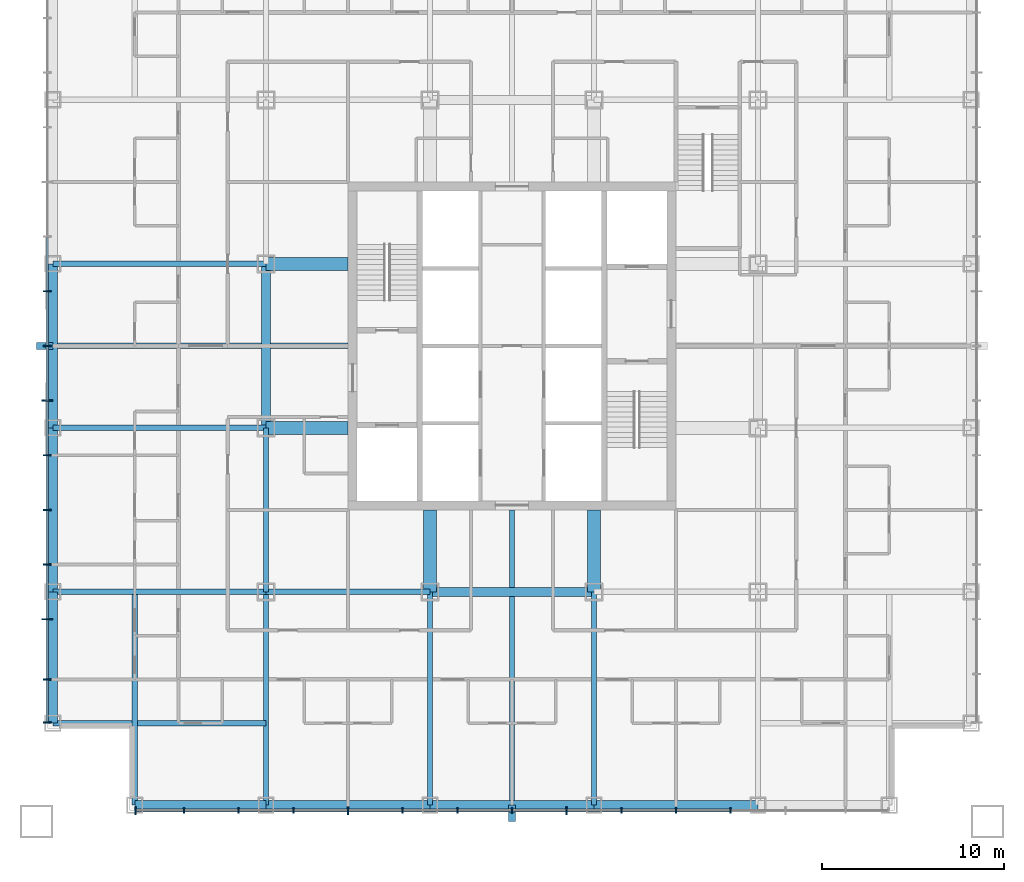
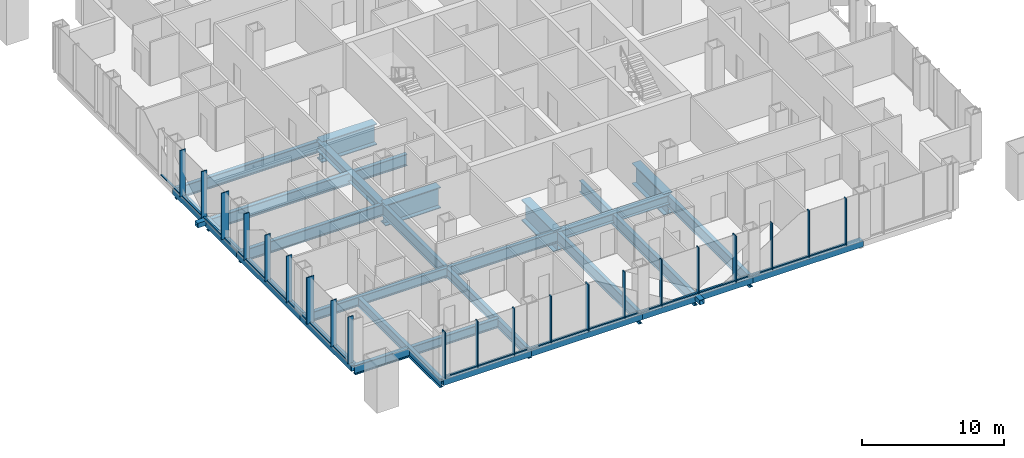
# One storey, part 2 of 13: 43 members, 25 beams, 2 elements without a shape of their own.
"""IFC4 building model written with IfcOpenShell, lengths in metres."""

import ifcopenshell
import ifcopenshell.guid

model = None  # the IFC model being written
_history = None  # IfcOwnerHistory: only IFC2X3 demands one
_inside = {}  # id of a spatial element -> (the spatial element, [elements in it])
_under = {}  # id of a project, library or spatial element -> (it, [spatial elements below it])
_declared = {}  # id of a project -> (the project, [libraries it declares])
_typed = {}  # id of a type object -> (the type object, [elements of that type])
_made_of = {}  # id of a material, layer set ... -> (it, [elements and type objects made of it])


def new_model(schema):
    """Start an empty IFC model of exactly this schema.

    Asked for "IFC4X3", IfcOpenShell would pick the latest addendum, in which some entities
    have other attributes; the version numbers below select the first issue.
    IFC2X3 requires an IfcOwnerHistory on every rooted entity: one is made here for all.
    """
    global model, _history
    if schema == "IFC4X3":
        model = ifcopenshell.file(schema_version=(4, 3, 0, 0))
    else:
        model = ifcopenshell.file(schema=schema)
    _inside.clear()
    _under.clear()
    _declared.clear()
    _typed.clear()
    _made_of.clear()
    _history = None
    if model.schema == "IFC2X3":
        org = make("IfcOrganization", Name="unknown")
        user = make(
            "IfcPersonAndOrganization",
            ThePerson=make("IfcPerson", FamilyName="unknown"),
            TheOrganization=org,
        )
        app = make(
            "IfcApplication",
            ApplicationDeveloper=org,
            Version="unknown",
            ApplicationFullName="unknown",
            ApplicationIdentifier="unknown",
        )
        _history = make(
            "IfcOwnerHistory",
            OwningUser=user,
            OwningApplication=app,
            ChangeAction="ADDED",
            CreationDate=0,
        )
    return model


def make(cls, **values):
    """One entity of the class cls with the attributes given. An attribute that is None is left unset."""
    return model.create_entity(
        cls, **{name: value for name, value in values.items() if value is not None}
    )


def rooted(cls, **values):
    """An entity with a GlobalId (a new one), such as an element, a storey or a relation."""
    return make(cls, GlobalId=ifcopenshell.guid.new(), OwnerHistory=_history, **values)


def si_unit(unit_type, name, prefix=None):
    """IfcSIUnit, for example si_unit("LENGTHUNIT", "METRE", prefix="MILLI")."""
    return make("IfcSIUnit", UnitType=unit_type, Prefix=prefix, Name=name)


def assignment(units):
    """IfcUnitAssignment: the units of a project."""
    return None if units is None else make("IfcUnitAssignment", Units=units)


def point(xyz):
    """IfcCartesianPoint."""
    return None if xyz is None else make("IfcCartesianPoint", Coordinates=xyz)


def direction(xyz):
    """IfcDirection."""
    return None if xyz is None else make("IfcDirection", DirectionRatios=xyz)


def frame(location, z_axis=None, x_axis=None):
    """IfcAxis2Placement3D, a coordinate frame: its origin and axes. An axis left out is left unset."""
    return make(
        "IfcAxis2Placement3D",
        Location=point(location),
        Axis=direction(z_axis),
        RefDirection=direction(x_axis),
    )


def frame_2d(location, x_axis=None):
    """IfcAxis2Placement2D, a coordinate frame in the plane: its origin and x axis."""
    return make(
        "IfcAxis2Placement2D", Location=point(location), RefDirection=direction(x_axis)
    )


def origin():
    """The frame at (0, 0, 0) with its axes left unset."""
    return frame((0.0, 0.0, 0.0))


def origin_2d():
    """The frame at (0, 0) in the plane with its x axis left unset."""
    return frame_2d((0.0, 0.0))


def place(relative_to, where):
    """IfcLocalPlacement: puts the frame where relative to a parent placement (None: the world)."""
    return make(
        "IfcLocalPlacement", PlacementRelTo=relative_to, RelativePlacement=where
    )


def context(
    kind, dimensions, precision=None, world=None, true_north=None, identifier=None
):
    """IfcGeometricRepresentationContext, for example the 3D "Model" context."""
    return make(
        "IfcGeometricRepresentationContext",
        ContextIdentifier=identifier,
        ContextType=kind,
        CoordinateSpaceDimension=dimensions,
        Precision=precision,
        WorldCoordinateSystem=world,
        TrueNorth=true_north,
    )


def subcontext(parent, identifier, kind, view, scale=None):
    """IfcGeometricRepresentationSubContext, for example "Body" below "Model"."""
    return make(
        "IfcGeometricRepresentationSubContext",
        ContextIdentifier=identifier,
        ContextType=kind,
        ParentContext=parent,
        TargetScale=scale,
        TargetView=view,
    )


def project(units=None, contexts=None):
    """IfcProject with its units and contexts."""
    return rooted(
        "IfcProject",
        Name="project",
        RepresentationContexts=contexts,
        UnitsInContext=assignment(units),
    )


def spatial(cls, under=None, at=None, **own):
    """A site, building, storey or space (cls), placed at a placement, below another one or the project."""
    s = rooted(cls, ObjectPlacement=at, **own)
    if under is not None:
        _under.setdefault(under.id(), (under, []))[1].append(s)
    return s


def profile(cls, at=None, kind="AREA", **sizes):
    """A parametric profile (cls). Its sizes go by their IFC names, for example OverallWidth=200.0."""
    return make(cls, ProfileType=kind, Position=at, **sizes)


def rectangle(**sizes):
    """IfcRectangleProfileDef."""
    return profile("IfcRectangleProfileDef", **sizes)


def hollow_rectangle(**sizes):
    """IfcRectangleHollowProfileDef."""
    return profile("IfcRectangleHollowProfileDef", **sizes)


def i_section(**sizes):
    """IfcIShapeProfileDef."""
    return profile("IfcIShapeProfileDef", **sizes)


def extrude(swept, where, along, depth):
    """IfcExtrudedAreaSolid: the profile swept, set in the frame where, extruded along a direction by depth."""
    return make(
        "IfcExtrudedAreaSolid",
        SweptArea=swept,
        Position=where,
        ExtrudedDirection=direction(along),
        Depth=depth,
    )


def shape(context_of_items, identifier, shape_type, items):
    """IfcShapeRepresentation: the items that make up one representation, for example the "Body"."""
    return make(
        "IfcShapeRepresentation",
        ContextOfItems=context_of_items,
        RepresentationIdentifier=identifier,
        RepresentationType=shape_type,
        Items=items,
    )


def material(Name=None, Category=None):
    """IfcMaterial."""
    return make("IfcMaterial", Name=Name, Category=Category)


def layer(
    of_material, thickness, ventilated=None, Name=None, Category=None, Priority=None
):
    """IfcMaterialLayer: one layer of a wall or slab, of a material (None: an air gap)."""
    return make(
        "IfcMaterialLayer",
        Material=of_material,
        LayerThickness=thickness,
        IsVentilated=ventilated,
        Name=Name,
        Category=Category,
        Priority=Priority,
    )


def layer_set(layers, Name=None):
    """IfcMaterialLayerSet."""
    return make("IfcMaterialLayerSet", MaterialLayers=layers, LayerSetName=Name)


def material_profile(
    of_material, cross_section, Name=None, Category=None, Priority=None
):
    """IfcMaterialProfile: a cross section and its material."""
    return make(
        "IfcMaterialProfile",
        Name=Name,
        Material=of_material,
        Profile=cross_section,
        Priority=Priority,
        Category=Category,
    )


def profile_set(profiles, Name=None, composite=None):
    """IfcMaterialProfileSet."""
    return make(
        "IfcMaterialProfileSet",
        Name=Name,
        MaterialProfiles=profiles,
        CompositeProfile=composite,
    )


def made_of(thing, what):
    """Note that an element or type object is made of a material, layer set ...; save() writes the relation."""
    if what is not None:
        _made_of.setdefault(what.id(), (what, []))[1].append(thing)
    return thing


def type_object(cls, material=None, **own):
    """A type object (cls), such as IfcWallType, which elements share."""
    return made_of(rooted(cls, **own), material)


def element(
    cls,
    number,
    at=None,
    inside=None,
    cuts=None,
    type_object=None,
    material=None,
    context=None,
    identifier="Body",
    shape_type=None,
    held_by="IfcProductDefinitionShape",
    body=None,
    shapes=None,
    **own,
):
    """One element of the class cls, such as IfcWall. Its Tag is "e" and its number.

    at: its placement. inside: the storey or other place that contains it. cuts: it is an
    opening in that element (IfcRelVoidsElement). A single representation is given by context,
    identifier, shape_type and body (its items); several are given by shapes. held_by: the class
    of the entity that holds the representations. save() writes the other relations.
    """
    e = rooted(cls, Tag="e%d" % number, ObjectPlacement=at, **own)
    if body is not None:
        shapes = [shape(context, identifier, shape_type, body)]
    if shapes is not None:
        e.Representation = make(held_by, Representations=shapes)
    if inside is not None:
        _inside.setdefault(inside.id(), (inside, []))[1].append(e)
    if cuts is not None:
        rooted(
            "IfcRelVoidsElement", RelatingBuildingElement=cuts, RelatedOpeningElement=e
        )
    if type_object is not None:
        _typed.setdefault(type_object.id(), (type_object, []))[1].append(e)
    return made_of(e, material)


def aggregate(whole, parts):
    """IfcRelAggregates: a whole, such as a stair, and the parts it consists of."""
    return rooted("IfcRelAggregates", RelatingObject=whole, RelatedObjects=parts)


def save(model, path):
    """Write the relations noted so far, then the file.

    IfcRelAggregates (storeys below a building ...), IfcRelContainedInSpatialStructure (elements
    in a storey), IfcRelDefinesByType, IfcRelAssociatesMaterial and IfcRelDeclares: one each for
    every whole, place, type object, material and project.
    """
    for whole, parts in _under.values():
        aggregate(whole, parts)
    for where, things in _inside.values():
        rooted(
            "IfcRelContainedInSpatialStructure",
            RelatedElements=things,
            RelatingStructure=where,
        )
    for kind, things in _typed.values():
        rooted("IfcRelDefinesByType", RelatedObjects=things, RelatingType=kind)
    for what, things in _made_of.values():
        rooted("IfcRelAssociatesMaterial", RelatedObjects=things, RelatingMaterial=what)
    for by, libraries in _declared.values():
        rooted("IfcRelDeclares", RelatingContext=by, RelatedDefinitions=libraries)
    model.write(path)


model = new_model("IFC4")

# Units and contexts
model_context = context("Model", 3, precision=1e-05, world=origin(), true_north=direction((0.0, 1.0)))
body_context = subcontext(model_context, "Body", "Model", "MODEL_VIEW")
ifc_project = project(units=[si_unit("LENGTHUNIT", "METRE"), si_unit("AREAUNIT", "SQUARE_METRE"), si_unit("VOLUMEUNIT", "CUBIC_METRE"), si_unit("PLANEANGLEUNIT", "RADIAN"), si_unit("MASSUNIT", "GRAM", prefix="KILO")], contexts=[model_context])

# Site, building, storey
site_placement = place(None, origin())
site = spatial("IfcSite", under=ifc_project, at=site_placement, CompositionType="ELEMENT")
building_placement = place(site_placement, origin())
building = spatial("IfcBuilding", under=site, at=building_placement, Name="Malebo Sky Hospital", CompositionType="ELEMENT")
storey_placement = place(building_placement, frame((0.0, 0.0, 47.0)))
storey = spatial("IfcBuildingStorey", under=building, at=storey_placement, Name="L10", CompositionType="ELEMENT", Elevation=47.0)

# Curtain wall, members
ifc_material_1 = material(Name="Anodised aluminium, natural silver", Category="aluminium")
ifc_layer_1 = layer(ifc_material_1, 0.25)
ifc_layer_set_1 = layer_set([ifc_layer_1], Name="WARD CURTAIN WALL EAST AND WEST")
curtain_wall_type_1 = type_object("IfcCurtainWallType", Name="WARD CURTAIN WALL EAST AND WEST", PredefinedType="NOTDEFINED", material=ifc_layer_set_1)
curtain_wall_1_placement = place(storey_placement, origin())
curtain_wall_1 = element("IfcCurtainWall", 1, at=curtain_wall_1_placement, inside=storey, type_object=curtain_wall_type_1, Name="EW curtain wall W", PredefinedType="NOTDEFINED")
ifc_material_profile_1 = material_profile(ifc_material_1, rectangle(XDim=0.14990234375, YDim=0.10009765625, at=origin_2d()), Name="ALUMINIUM TRANSOM 150x100")
ifc_profile_set_1 = profile_set([ifc_material_profile_1], Name="Anodised aluminium, natural silver")
member_type_1 = type_object("IfcMemberType", Name="ALUMINIUM TRANSOM 150x100", PredefinedType="USERDEFINED", material=ifc_profile_set_1)
member_1_placement = place(storey_placement, frame((34.5, 41.375, 0.050048828125), z_axis=(0.0, 1.0, 0.0), x_axis=(-1.0, 0.0, 0.0)))
member_1 = element("IfcMember", 2, at=member_1_placement, type_object=member_type_1, Name="Transom 1", ObjectType="TRANSOM", PredefinedType="USERDEFINED", context=body_context, shape_type="SweptSolid", body=[
    extrude(rectangle(XDim=0.14990234375, YDim=0.10009765625, at=origin_2d()), origin(), (0.0, 0.0, 1.0), 2.28759765625),
])
member_2_placement = place(storey_placement, frame((34.5, 43.737548828125, 0.050048828125), z_axis=(0.0, 1.0, 0.0), x_axis=(-1.0, 0.0, 0.0)))
member_2 = element("IfcMember", 3, at=member_2_placement, type_object=member_type_1, Name="Transom 2", ObjectType="TRANSOM", PredefinedType="USERDEFINED", context=body_context, shape_type="SweptSolid", body=[
    extrude(rectangle(XDim=0.14990234375, YDim=0.10009765625, at=origin_2d()), origin(), (0.0, 0.0, 1.0), 3.224853515625),
])
member_3_placement = place(storey_placement, frame((34.5, 47.03759765625, 0.050048828125), z_axis=(0.0, 1.0, 0.0), x_axis=(-1.0, 0.0, 0.0)))
member_3 = element("IfcMember", 4, at=member_3_placement, type_object=member_type_1, Name="Transom 3", ObjectType="TRANSOM", PredefinedType="USERDEFINED", context=body_context, shape_type="SweptSolid", body=[
    extrude(rectangle(XDim=0.14990234375, YDim=0.10009765625, at=origin_2d()), origin(), (0.0, 0.0, 1.0), 2.9248046875),
])
member_4_placement = place(storey_placement, frame((34.5, 50.03759765625, 0.050048828125), z_axis=(0.0, 1.0, 0.0), x_axis=(-1.0, 0.0, 0.0)))
member_4 = element("IfcMember", 5, at=member_4_placement, type_object=member_type_1, Name="Transom 4", ObjectType="TRANSOM", PredefinedType="USERDEFINED", context=body_context, shape_type="SweptSolid", body=[
    extrude(rectangle(XDim=0.14990234375, YDim=0.10009765625, at=origin_2d()), origin(), (0.0, 0.0, 1.0), 2.9248046875),
])
member_5_placement = place(storey_placement, frame((34.5, 53.03759765625, 0.050048828125), z_axis=(0.0, 1.0, 0.0), x_axis=(-1.0, 0.0, 0.0)))
member_5 = element("IfcMember", 6, at=member_5_placement, type_object=member_type_1, Name="Transom 5", ObjectType="TRANSOM", PredefinedType="USERDEFINED", context=body_context, shape_type="SweptSolid", body=[
    extrude(rectangle(XDim=0.14990234375, YDim=0.10009765625, at=origin_2d()), origin(), (0.0, 0.0, 1.0), 2.9248046875),
])
member_6_placement = place(storey_placement, frame((34.5, 56.03759765625, 0.050048828125), z_axis=(0.0, 1.0, 0.0), x_axis=(-1.0, 0.0, 0.0)))
member_6 = element("IfcMember", 7, at=member_6_placement, type_object=member_type_1, Name="Transom 6", ObjectType="TRANSOM", PredefinedType="USERDEFINED", context=body_context, shape_type="SweptSolid", body=[
    extrude(rectangle(XDim=0.14990234375, YDim=0.10009765625, at=origin_2d()), origin(), (0.0, 0.0, 1.0), 2.9248046875),
])
member_7_placement = place(storey_placement, frame((34.5, 59.03759765625, 0.050048828125), z_axis=(0.0, 1.0, 0.0), x_axis=(-1.0, 0.0, 0.0)))
member_7 = element("IfcMember", 8, at=member_7_placement, type_object=member_type_1, Name="Transom 7", ObjectType="TRANSOM", PredefinedType="USERDEFINED", context=body_context, shape_type="SweptSolid", body=[
    extrude(rectangle(XDim=0.14990234375, YDim=0.10009765625, at=origin_2d()), origin(), (0.0, 0.0, 1.0), 2.9248046875),
])
member_8_placement = place(storey_placement, frame((34.5, 62.03759765625, 0.050048828125), z_axis=(0.0, 1.0, 0.0), x_axis=(-1.0, 0.0, 0.0)))
member_8 = element("IfcMember", 9, at=member_8_placement, type_object=member_type_1, Name="Transom 8", ObjectType="TRANSOM", PredefinedType="USERDEFINED", context=body_context, shape_type="SweptSolid", body=[
    extrude(rectangle(XDim=0.14990234375, YDim=0.10009765625, at=origin_2d()), origin(), (0.0, 0.0, 1.0), 2.9248046875),
])
member_9_placement = place(storey_placement, frame((34.5, 65.03759765625, 0.050048828125), z_axis=(0.0, 1.0, 0.0), x_axis=(-1.0, 0.0, 0.0)))
member_9 = element("IfcMember", 10, at=member_9_placement, type_object=member_type_1, Name="Transom 9", ObjectType="TRANSOM", PredefinedType="USERDEFINED", context=body_context, shape_type="SweptSolid", body=[
    extrude(rectangle(XDim=0.14990234375, YDim=0.10009765625, at=origin_2d()), origin(), (0.0, 0.0, 1.0), 2.9248046875),
])

ifc_layer_2 = layer(ifc_material_1, 0.25)
ifc_layer_set_2 = layer_set([ifc_layer_2], Name="WARD CURTAIN WALL NORTH AND SOUTH")
curtain_wall_type_2 = type_object("IfcCurtainWallType", Name="WARD CURTAIN WALL NORTH AND SOUTH", PredefinedType="NOTDEFINED", material=ifc_layer_set_2)
curtain_wall_2_placement = place(storey_placement, origin())
curtain_wall_2 = element("IfcCurtainWall", 11, at=curtain_wall_2_placement, inside=storey, type_object=curtain_wall_type_2, Name="NS curtain wall S", PredefinedType="NOTDEFINED")
member_10_placement = place(storey_placement, frame((71.96240234375, 36.5, 0.050048828125), z_axis=(-1.0, 0.0, 0.0), x_axis=(0.0, -1.0, 0.0)))
member_10 = element("IfcMember", 12, at=member_10_placement, type_object=member_type_1, Name="Transom 4", ObjectType="TRANSOM", PredefinedType="USERDEFINED", context=body_context, shape_type="SweptSolid", body=[
    extrude(rectangle(XDim=0.14990234375, YDim=0.10009765625, at=origin_2d()), origin(), (0.0, 0.0, 1.0), 2.9248046875),
])
member_11_placement = place(storey_placement, frame((68.96240234375, 36.5, 0.050048828125), z_axis=(-1.0, 0.0, 0.0), x_axis=(0.0, -1.0, 0.0)))
member_11 = element("IfcMember", 13, at=member_11_placement, type_object=member_type_1, Name="Transom 5", ObjectType="TRANSOM", PredefinedType="USERDEFINED", context=body_context, shape_type="SweptSolid", body=[
    extrude(rectangle(XDim=0.14990234375, YDim=0.10009765625, at=origin_2d()), origin(), (0.0, 0.0, 1.0), 2.9248046875),
])
member_12_placement = place(storey_placement, frame((65.96240234375, 36.5, 0.050048828125), z_axis=(-1.0, 0.0, 0.0), x_axis=(0.0, -1.0, 0.0)))
member_12 = element("IfcMember", 14, at=member_12_placement, type_object=member_type_1, Name="Transom 6", ObjectType="TRANSOM", PredefinedType="USERDEFINED", context=body_context, shape_type="SweptSolid", body=[
    extrude(rectangle(XDim=0.14990234375, YDim=0.10009765625, at=origin_2d()), origin(), (0.0, 0.0, 1.0), 2.9248046875),
])
member_13_placement = place(storey_placement, frame((62.96240234375, 36.5, 0.050048828125), z_axis=(-1.0, 0.0, 0.0), x_axis=(0.0, -1.0, 0.0)))
member_13 = element("IfcMember", 15, at=member_13_placement, type_object=member_type_1, Name="Transom 7", ObjectType="TRANSOM", PredefinedType="USERDEFINED", context=body_context, shape_type="SweptSolid", body=[
    extrude(rectangle(XDim=0.14990234375, YDim=0.10009765625, at=origin_2d()), origin(), (0.0, 0.0, 1.0), 2.9248046875),
])
member_14_placement = place(storey_placement, frame((59.96240234375, 36.5, 0.050048828125), z_axis=(-1.0, 0.0, 0.0), x_axis=(0.0, -1.0, 0.0)))
member_14 = element("IfcMember", 16, at=member_14_placement, type_object=member_type_1, Name="Transom 8", ObjectType="TRANSOM", PredefinedType="USERDEFINED", context=body_context, shape_type="SweptSolid", body=[
    extrude(rectangle(XDim=0.14990234375, YDim=0.10009765625, at=origin_2d()), origin(), (0.0, 0.0, 1.0), 2.9248046875),
])
member_15_placement = place(storey_placement, frame((56.96240234375, 36.5, 0.050048828125), z_axis=(-1.0, 0.0, 0.0), x_axis=(0.0, -1.0, 0.0)))
member_15 = element("IfcMember", 17, at=member_15_placement, type_object=member_type_1, Name="Transom 9", ObjectType="TRANSOM", PredefinedType="USERDEFINED", context=body_context, shape_type="SweptSolid", body=[
    extrude(rectangle(XDim=0.14990234375, YDim=0.10009765625, at=origin_2d()), origin(), (0.0, 0.0, 1.0), 2.9248046875),
])
member_16_placement = place(storey_placement, frame((53.96240234375, 36.5, 0.050048828125), z_axis=(-1.0, 0.0, 0.0), x_axis=(0.0, -1.0, 0.0)))
member_16 = element("IfcMember", 18, at=member_16_placement, type_object=member_type_1, Name="Transom 10", ObjectType="TRANSOM", PredefinedType="USERDEFINED", context=body_context, shape_type="SweptSolid", body=[
    extrude(rectangle(XDim=0.14990234375, YDim=0.10009765625, at=origin_2d()), origin(), (0.0, 0.0, 1.0), 2.9248046875),
])
member_17_placement = place(storey_placement, frame((50.96240234375, 36.5, 0.050048828125), z_axis=(-1.0, 0.0, 0.0), x_axis=(0.0, -1.0, 0.0)))
member_17 = element("IfcMember", 19, at=member_17_placement, type_object=member_type_1, Name="Transom 11", ObjectType="TRANSOM", PredefinedType="USERDEFINED", context=body_context, shape_type="SweptSolid", body=[
    extrude(rectangle(XDim=0.14990234375, YDim=0.10009765625, at=origin_2d()), origin(), (0.0, 0.0, 1.0), 2.9248046875),
])
member_18_placement = place(storey_placement, frame((47.96240234375, 36.5, 0.050048828125), z_axis=(-1.0, 0.0, 0.0), x_axis=(0.0, -1.0, 0.0)))
member_18 = element("IfcMember", 20, at=member_18_placement, type_object=member_type_1, Name="Transom 12", ObjectType="TRANSOM", PredefinedType="USERDEFINED", context=body_context, shape_type="SweptSolid", body=[
    extrude(rectangle(XDim=0.14990234375, YDim=0.10009765625, at=origin_2d()), origin(), (0.0, 0.0, 1.0), 2.9248046875),
])
member_19_placement = place(storey_placement, frame((44.96240234375, 36.5, 0.050048828125), z_axis=(-1.0, 0.0, 0.0), x_axis=(0.0, -1.0, 0.0)))
member_19 = element("IfcMember", 21, at=member_19_placement, type_object=member_type_1, Name="Transom 13", ObjectType="TRANSOM", PredefinedType="USERDEFINED", context=body_context, shape_type="SweptSolid", body=[
    extrude(rectangle(XDim=0.14990234375, YDim=0.10009765625, at=origin_2d()), origin(), (0.0, 0.0, 1.0), 2.9248046875),
])
member_20_placement = place(storey_placement, frame((41.96240234375, 36.5, 0.050048828125), z_axis=(-1.0, 0.0, 0.0), x_axis=(0.0, -1.0, 0.0)))
member_20 = element("IfcMember", 22, at=member_20_placement, type_object=member_type_1, Name="Transom 14", ObjectType="TRANSOM", PredefinedType="USERDEFINED", context=body_context, shape_type="SweptSolid", body=[
    extrude(rectangle(XDim=0.14990234375, YDim=0.10009765625, at=origin_2d()), origin(), (0.0, 0.0, 1.0), 2.58740234375),
])

# Members
ifc_material_2 = material(Name="Steel S355", Category="steel")
ifc_material_profile_2 = material_profile(ifc_material_2, hollow_rectangle(XDim=0.39990234375, YDim=0.39990234375, WallThickness=0.02001953125, at=origin_2d()), Name="SHS 400x20")
ifc_profile_set_2 = profile_set([ifc_material_profile_2], Name="Steel S355")
member_type_2 = type_object("IfcMemberType", Name="BRACE STRUT SHS 400x20", PredefinedType="STRUT", material=ifc_profile_set_2)
for number, where, z_axis, x_axis, name in (
    (23, (60.0, 35.89990234375, -0.39990234375), (0.0, 1.0, 0.0), (-1.0, 0.0, 0.0), "Brace strut AS1 L10"),
    (24, (33.89990234375, 62.0, -0.39990234375), (1.0, 0.0, 0.0), (0.0, 1.0, 0.0), "Brace strut AW1 L10"),
):
    element("IfcMember", number, at=place(storey_placement, frame(where, z_axis=z_axis, x_axis=x_axis)), inside=storey, type_object=member_type_2, Name=name, PredefinedType="STRUT", context=body_context, shape_type="SweptSolid", body=[
        extrude(hollow_rectangle(XDim=0.39990234375, YDim=0.39990234375, WallThickness=0.02001953125, at=origin_2d()), origin(), (0.0, 0.0, 1.0), 0.900146484375),
    ])

# Member
ifc_material_profile_3 = material_profile(ifc_material_1, rectangle(XDim=0.074951171875, YDim=0.300048828125, at=origin_2d()), Name="CW1 ALUMINIUM FIN MULLION 75x300")
ifc_profile_set_3 = profile_set([ifc_material_profile_3], Name="Anodised aluminium, natural silver")
member_type_3 = type_object("IfcMemberType", Name="CW1 ALUMINIUM FIN MULLION 75x300", PredefinedType="MULLION", material=ifc_profile_set_3)
member_21_placement = place(storey_placement, frame((72.0, 36.5, 0.0), z_axis=(0.0, 0.0, 1.0), x_axis=(-1.0, 0.0, 0.0)))
member_21 = element("IfcMember", 25, at=member_21_placement, type_object=member_type_3, Name="Fin mullion 4", PredefinedType="MULLION", context=body_context, shape_type="SweptSolid", body=[
    extrude(rectangle(XDim=0.074951171875, YDim=0.300048828125, at=origin_2d()), origin(), (0.0, 0.0, 1.0), 4.0),
])

member_22_placement = place(storey_placement, frame((69.0, 36.5, 0.0), z_axis=(0.0, 0.0, 1.0), x_axis=(-1.0, 0.0, 0.0)))
member_22 = element("IfcMember", 26, at=member_22_placement, type_object=member_type_3, Name="Fin mullion 5", PredefinedType="MULLION", context=body_context, shape_type="SweptSolid", body=[
    extrude(rectangle(XDim=0.074951171875, YDim=0.300048828125, at=origin_2d()), origin(), (0.0, 0.0, 1.0), 4.0),
])

member_23_placement = place(storey_placement, frame((66.0, 36.5, 0.0), z_axis=(0.0, 0.0, 1.0), x_axis=(-1.0, 0.0, 0.0)))
member_23 = element("IfcMember", 27, at=member_23_placement, type_object=member_type_3, Name="Fin mullion 6", PredefinedType="MULLION", context=body_context, shape_type="SweptSolid", body=[
    extrude(rectangle(XDim=0.074951171875, YDim=0.300048828125, at=origin_2d()), origin(), (0.0, 0.0, 1.0), 4.0),
])

member_24_placement = place(storey_placement, frame((60.0, 36.5, 0.0), z_axis=(0.0, 0.0, 1.0), x_axis=(-1.0, 0.0, 0.0)))
member_24 = element("IfcMember", 28, at=member_24_placement, type_object=member_type_3, Name="Fin mullion 8", PredefinedType="MULLION", context=body_context, shape_type="SweptSolid", body=[
    extrude(rectangle(XDim=0.074951171875, YDim=0.300048828125, at=origin_2d()), origin(), (0.0, 0.0, 1.0), 4.0),
])

member_25_placement = place(storey_placement, frame((57.0, 36.5, 0.0), z_axis=(0.0, 0.0, 1.0), x_axis=(-1.0, 0.0, 0.0)))
member_25 = element("IfcMember", 29, at=member_25_placement, type_object=member_type_3, Name="Fin mullion 9", PredefinedType="MULLION", context=body_context, shape_type="SweptSolid", body=[
    extrude(rectangle(XDim=0.074951171875, YDim=0.300048828125, at=origin_2d()), origin(), (0.0, 0.0, 1.0), 4.0),
])

member_26_placement = place(storey_placement, frame((54.0, 36.5, 0.0), z_axis=(0.0, 0.0, 1.0), x_axis=(-1.0, 0.0, 0.0)))
member_26 = element("IfcMember", 30, at=member_26_placement, type_object=member_type_3, Name="Fin mullion 10", PredefinedType="MULLION", context=body_context, shape_type="SweptSolid", body=[
    extrude(rectangle(XDim=0.074951171875, YDim=0.300048828125, at=origin_2d()), origin(), (0.0, 0.0, 1.0), 4.0),
])

member_27_placement = place(storey_placement, frame((48.0, 36.5, 0.0), z_axis=(0.0, 0.0, 1.0), x_axis=(-1.0, 0.0, 0.0)))
member_27 = element("IfcMember", 31, at=member_27_placement, type_object=member_type_3, Name="Fin mullion 12", PredefinedType="MULLION", context=body_context, shape_type="SweptSolid", body=[
    extrude(rectangle(XDim=0.074951171875, YDim=0.300048828125, at=origin_2d()), origin(), (0.0, 0.0, 1.0), 4.0),
])

member_28_placement = place(storey_placement, frame((45.0, 36.5, 0.0), z_axis=(0.0, 0.0, 1.0), x_axis=(-1.0, 0.0, 0.0)))
member_28 = element("IfcMember", 32, at=member_28_placement, type_object=member_type_3, Name="Fin mullion 13", PredefinedType="MULLION", context=body_context, shape_type="SweptSolid", body=[
    extrude(rectangle(XDim=0.074951171875, YDim=0.300048828125, at=origin_2d()), origin(), (0.0, 0.0, 1.0), 4.0),
])

member_29_placement = place(storey_placement, frame((42.0, 36.5, 0.0), z_axis=(0.0, 0.0, 1.0), x_axis=(-1.0, 0.0, 0.0)))
member_29 = element("IfcMember", 33, at=member_29_placement, type_object=member_type_3, Name="Fin mullion 14", PredefinedType="MULLION", context=body_context, shape_type="SweptSolid", body=[
    extrude(rectangle(XDim=0.074951171875, YDim=0.300048828125, at=origin_2d()), origin(), (0.0, 0.0, 1.0), 4.0),
])

ifc_material_profile_4 = material_profile(ifc_material_1, rectangle(XDim=0.074951171875, YDim=0.449951171875, at=origin_2d()), Name="CW1 ALUMINIUM FIN MULLION 75x450")
ifc_profile_set_4 = profile_set([ifc_material_profile_4], Name="Anodised aluminium, natural silver")
member_type_4 = type_object("IfcMemberType", Name="CW1 ALUMINIUM FIN MULLION 75x450", PredefinedType="MULLION", material=ifc_profile_set_4)
member_30_placement = place(storey_placement, frame((63.0, 36.5, 0.0), z_axis=(0.0, 0.0, 1.0), x_axis=(-1.0, 0.0, 0.0)))
member_30 = element("IfcMember", 34, at=member_30_placement, type_object=member_type_4, Name="Fin mullion 7", PredefinedType="MULLION", context=body_context, shape_type="SweptSolid", body=[
    extrude(rectangle(XDim=0.074951171875, YDim=0.449951171875, at=origin_2d()), origin(), (0.0, 0.0, 1.0), 4.0),
])

member_31_placement = place(storey_placement, frame((51.0, 36.5, 0.0), z_axis=(0.0, 0.0, 1.0), x_axis=(-1.0, 0.0, 0.0)))
member_31 = element("IfcMember", 35, at=member_31_placement, type_object=member_type_4, Name="Fin mullion 11", PredefinedType="MULLION", context=body_context, shape_type="SweptSolid", body=[
    extrude(rectangle(XDim=0.074951171875, YDim=0.449951171875, at=origin_2d()), origin(), (0.0, 0.0, 1.0), 4.0),
])

member_32_placement = place(storey_placement, frame((39.33740234375, 36.5, 0.0), z_axis=(0.0, 0.0, 1.0), x_axis=(-1.0, 0.0, 0.0)))
member_32 = element("IfcMember", 36, at=member_32_placement, type_object=member_type_4, Name="Fin mullion 15", PredefinedType="MULLION", context=body_context, shape_type="SweptSolid", body=[
    extrude(rectangle(XDim=0.074951171875, YDim=0.449951171875, at=origin_2d()), origin(), (0.0, 0.0, 1.0), 4.0),
])

aggregate(curtain_wall_2, [member_21, member_22, member_23, member_30, member_24, member_25, member_26, member_31, member_27, member_28, member_29, member_32, member_10, member_11, member_12, member_13, member_14, member_15, member_16, member_17, member_18, member_19, member_20])

ifc_material_profile_5 = material_profile(ifc_material_1, rectangle(XDim=0.074951171875, YDim=0.449951171875, at=origin_2d()), Name="CW2 ALUMINIUM FIN MULLION 75x450")
ifc_profile_set_5 = profile_set([ifc_material_profile_5], Name="Anodised aluminium, natural silver")
member_type_5 = type_object("IfcMemberType", Name="CW2 ALUMINIUM FIN MULLION 75x450", PredefinedType="MULLION", material=ifc_profile_set_5)
member_33_placement = place(storey_placement, frame((34.5, 41.33740234375, 0.0), z_axis=(0.0, 0.0, 1.0), x_axis=(0.0, 1.0, 0.0)))
member_33 = element("IfcMember", 37, at=member_33_placement, type_object=member_type_5, Name="Fin mullion 1", PredefinedType="MULLION", context=body_context, shape_type="SweptSolid", body=[
    extrude(rectangle(XDim=0.074951171875, YDim=0.449951171875, at=origin_2d()), origin(), (0.0, 0.0, 1.0), 4.0),
])

member_34_placement = place(storey_placement, frame((34.5, 43.699951171875, 0.0), z_axis=(0.0, 0.0, 1.0), x_axis=(0.0, 1.0, 0.0)))
member_34 = element("IfcMember", 38, at=member_34_placement, type_object=member_type_5, Name="Fin mullion 2", PredefinedType="MULLION", context=body_context, shape_type="SweptSolid", body=[
    extrude(rectangle(XDim=0.074951171875, YDim=0.449951171875, at=origin_2d()), origin(), (0.0, 0.0, 1.0), 4.0),
])

member_35_placement = place(storey_placement, frame((34.5, 50.0, 0.0), z_axis=(0.0, 0.0, 1.0), x_axis=(0.0, 1.0, 0.0)))
member_35 = element("IfcMember", 39, at=member_35_placement, type_object=member_type_5, Name="Fin mullion 4", PredefinedType="MULLION", context=body_context, shape_type="SweptSolid", body=[
    extrude(rectangle(XDim=0.074951171875, YDim=0.449951171875, at=origin_2d()), origin(), (0.0, 0.0, 1.0), 4.0),
])

member_36_placement = place(storey_placement, frame((34.5, 53.0, 0.0), z_axis=(0.0, 0.0, 1.0), x_axis=(0.0, 1.0, 0.0)))
member_36 = element("IfcMember", 40, at=member_36_placement, type_object=member_type_5, Name="Fin mullion 5", PredefinedType="MULLION", context=body_context, shape_type="SweptSolid", body=[
    extrude(rectangle(XDim=0.074951171875, YDim=0.449951171875, at=origin_2d()), origin(), (0.0, 0.0, 1.0), 4.0),
])

member_37_placement = place(storey_placement, frame((34.5, 56.0, 0.0), z_axis=(0.0, 0.0, 1.0), x_axis=(0.0, 1.0, 0.0)))
member_37 = element("IfcMember", 41, at=member_37_placement, type_object=member_type_5, Name="Fin mullion 6", PredefinedType="MULLION", context=body_context, shape_type="SweptSolid", body=[
    extrude(rectangle(XDim=0.074951171875, YDim=0.449951171875, at=origin_2d()), origin(), (0.0, 0.0, 1.0), 4.0),
])

member_38_placement = place(storey_placement, frame((34.5, 62.0, 0.0), z_axis=(0.0, 0.0, 1.0), x_axis=(0.0, 1.0, 0.0)))
member_38 = element("IfcMember", 42, at=member_38_placement, type_object=member_type_5, Name="Fin mullion 8", PredefinedType="MULLION", context=body_context, shape_type="SweptSolid", body=[
    extrude(rectangle(XDim=0.074951171875, YDim=0.449951171875, at=origin_2d()), origin(), (0.0, 0.0, 1.0), 4.0),
])

member_39_placement = place(storey_placement, frame((34.5, 65.0, 0.0), z_axis=(0.0, 0.0, 1.0), x_axis=(0.0, 1.0, 0.0)))
member_39 = element("IfcMember", 43, at=member_39_placement, type_object=member_type_5, Name="Fin mullion 9", PredefinedType="MULLION", context=body_context, shape_type="SweptSolid", body=[
    extrude(rectangle(XDim=0.074951171875, YDim=0.449951171875, at=origin_2d()), origin(), (0.0, 0.0, 1.0), 4.0),
])

ifc_material_profile_6 = material_profile(ifc_material_1, rectangle(XDim=0.074951171875, YDim=0.60009765625, at=origin_2d()), Name="CW2 ALUMINIUM FIN MULLION 75x600")
ifc_profile_set_6 = profile_set([ifc_material_profile_6], Name="Anodised aluminium, natural silver")
member_type_6 = type_object("IfcMemberType", Name="CW2 ALUMINIUM FIN MULLION 75x600", PredefinedType="MULLION", material=ifc_profile_set_6)
member_40_placement = place(storey_placement, frame((34.5, 47.0, 0.0), z_axis=(0.0, 0.0, 1.0), x_axis=(0.0, 1.0, 0.0)))
member_40 = element("IfcMember", 44, at=member_40_placement, type_object=member_type_6, Name="Fin mullion 3", PredefinedType="MULLION", context=body_context, shape_type="SweptSolid", body=[
    extrude(rectangle(XDim=0.074951171875, YDim=0.60009765625, at=origin_2d()), origin(), (0.0, 0.0, 1.0), 4.0),
])

member_41_placement = place(storey_placement, frame((34.5, 59.0, 0.0), z_axis=(0.0, 0.0, 1.0), x_axis=(0.0, 1.0, 0.0)))
member_41 = element("IfcMember", 45, at=member_41_placement, type_object=member_type_6, Name="Fin mullion 7", PredefinedType="MULLION", context=body_context, shape_type="SweptSolid", body=[
    extrude(rectangle(XDim=0.074951171875, YDim=0.60009765625, at=origin_2d()), origin(), (0.0, 0.0, 1.0), 4.0),
])

aggregate(curtain_wall_1, [member_33, member_34, member_40, member_35, member_36, member_37, member_41, member_38, member_39, member_1, member_2, member_3, member_4, member_5, member_6, member_7, member_8, member_9])

# Beams
ifc_material_3 = material(Name="Steel S460", Category="steel")
ifc_material_profile_7 = material_profile(ifc_material_3, hollow_rectangle(XDim=0.5, YDim=0.5, WallThickness=0.030029296875, at=origin_2d()), Name="BOX 500x500x30")
ifc_profile_set_7 = profile_set([ifc_material_profile_7], Name="Steel S460")
beam_type_1 = type_object("IfcBeamType", Name="EDGE BEAM BOX 500x500x30", PredefinedType="BEAM", material=ifc_profile_set_7)
beam_1_placement = place(storey_placement, frame((34.800048828125, 41.300048828125, -0.5), z_axis=(0.0, 1.0, 0.0), x_axis=(-1.0, 0.0, 0.0)))
element("IfcBeam", 46, at=beam_1_placement, inside=storey, type_object=beam_type_1, Name="Beam 000 L10", PredefinedType="BEAM", context=body_context, shape_type="SweptSolid", body=[
    extrude(hollow_rectangle(XDim=0.5, YDim=0.5, WallThickness=0.030029296875, at=origin_2d()), origin(), (0.0, 0.0, 1.0), 7.199951171875),
])
for number, where, z_axis, x_axis, name in (
    (47, (34.800048828125, 48.5, -0.5), (0.0, 1.0, 0.0), (-1.0, 0.0, 0.0), "Beam 001 L10"),
    (48, (34.800048828125, 57.5, -0.5), (0.0, 1.0, 0.0), (-1.0, 0.0, 0.0), "Beam 002 L10"),
):
    element("IfcBeam", number, at=place(storey_placement, frame(where, z_axis=z_axis, x_axis=x_axis)), inside=storey, type_object=beam_type_1, Name=name, PredefinedType="BEAM", context=body_context, shape_type="SweptSolid", body=[
        extrude(hollow_rectangle(XDim=0.5, YDim=0.5, WallThickness=0.030029296875, at=origin_2d()), origin(), (0.0, 0.0, 1.0), 9.0),
    ])
beam_2_placement = place(storey_placement, frame((39.300048828125, 36.800048828125, -0.5), z_axis=(1.0, 0.0, 0.0), x_axis=(0.0, 1.0, 0.0)))
element("IfcBeam", 49, at=beam_2_placement, inside=storey, type_object=beam_type_1, Name="Beam 034 L10", PredefinedType="BEAM", context=body_context, shape_type="SweptSolid", body=[
    extrude(hollow_rectangle(XDim=0.5, YDim=0.5, WallThickness=0.030029296875, at=origin_2d()), origin(), (0.0, 0.0, 1.0), 7.199951171875),
])
for number, where, z_axis, x_axis, name in (
    (50, (46.5, 36.800048828125, -0.5), (1.0, 0.0, 0.0), (0.0, 1.0, 0.0), "Beam 035 L10"),
    (51, (55.5, 36.800048828125, -0.5), (1.0, 0.0, 0.0), (0.0, 1.0, 0.0), "Beam 036 L10"),
    (52, (64.5, 36.800048828125, -0.5), (1.0, 0.0, 0.0), (0.0, 1.0, 0.0), "Beam 037 L10"),
):
    element("IfcBeam", number, at=place(storey_placement, frame(where, z_axis=z_axis, x_axis=x_axis)), inside=storey, type_object=beam_type_1, Name=name, PredefinedType="BEAM", context=body_context, shape_type="SweptSolid", body=[
        extrude(hollow_rectangle(XDim=0.5, YDim=0.5, WallThickness=0.030029296875, at=origin_2d()), origin(), (0.0, 0.0, 1.0), 9.0),
    ])
ifc_material_profile_8 = material_profile(ifc_material_2, i_section(OverallWidth=0.300048828125, OverallDepth=1.0, WebThickness=0.01904296875, FlangeThickness=0.035888671875, FilletRadius=0.030029296875, at=origin_2d()), Name="HEB 1000")
ifc_profile_set_8 = profile_set([ifc_material_profile_8], Name="Steel S355")
beam_type_2 = type_object("IfcBeamType", Name="FLOOR BEAM HEB 1000", PredefinedType="BEAM", material=ifc_profile_set_8)
beam_3_placement = place(storey_placement, frame((46.5, 48.5, -0.75), z_axis=(0.0, 1.0, 0.0), x_axis=(-1.0, 0.0, 0.0)))
element("IfcBeam", 53, at=beam_3_placement, inside=storey, type_object=beam_type_2, Name="Beam 008 L10", PredefinedType="BEAM", context=body_context, shape_type="SweptSolid", body=[
    extrude(i_section(OverallWidth=0.300048828125, OverallDepth=1.0, WebThickness=0.01904296875, FlangeThickness=0.035888671875, FilletRadius=0.030029296875, at=origin_2d()), origin(), (0.0, 0.0, 1.0), 9.0),
])
beam_4_placement = place(storey_placement, frame((55.5, 36.800048828125, -0.75), z_axis=(0.0, 1.0, 0.0), x_axis=(-1.0, 0.0, 0.0)))
element("IfcBeam", 54, at=beam_4_placement, inside=storey, type_object=beam_type_2, Name="Beam 012 L10", PredefinedType="BEAM", context=body_context, shape_type="SweptSolid", body=[
    extrude(i_section(OverallWidth=0.300048828125, OverallDepth=1.0, WebThickness=0.01904296875, FlangeThickness=0.035888671875, FilletRadius=0.030029296875, at=origin_2d()), origin(), (0.0, 0.0, 1.0), 11.699951171875),
])
beam_5_placement = place(storey_placement, frame((60.0, 36.800048828125, -0.75), z_axis=(0.0, 1.0, 0.0), x_axis=(-1.0, 0.0, 0.0)))
element("IfcBeam", 55, at=beam_5_placement, inside=storey, type_object=beam_type_2, Name="Beam 016 L10", PredefinedType="BEAM", context=body_context, shape_type="SweptSolid", body=[
    extrude(i_section(OverallWidth=0.300048828125, OverallDepth=1.0, WebThickness=0.01904296875, FlangeThickness=0.035888671875, FilletRadius=0.030029296875, at=origin_2d()), origin(), (0.0, 0.0, 1.0), 16.199951171875),
])
beam_6_placement = place(storey_placement, frame((64.5, 36.800048828125, -0.75), z_axis=(0.0, 1.0, 0.0), x_axis=(-1.0, 0.0, 0.0)))
element("IfcBeam", 56, at=beam_6_placement, inside=storey, type_object=beam_type_2, Name="Beam 018 L10", PredefinedType="BEAM", context=body_context, shape_type="SweptSolid", body=[
    extrude(i_section(OverallWidth=0.300048828125, OverallDepth=1.0, WebThickness=0.01904296875, FlangeThickness=0.035888671875, FilletRadius=0.030029296875, at=origin_2d()), origin(), (0.0, 0.0, 1.0), 11.699951171875),
])
beam_7_placement = place(storey_placement, frame((46.5, 48.5, -0.75), z_axis=(1.0, 0.0, 0.0), x_axis=(0.0, 1.0, 0.0)))
element("IfcBeam", 57, at=beam_7_placement, inside=storey, type_object=beam_type_2, Name="Beam 042 L10", PredefinedType="BEAM", context=body_context, shape_type="SweptSolid", body=[
    extrude(i_section(OverallWidth=0.300048828125, OverallDepth=1.0, WebThickness=0.01904296875, FlangeThickness=0.035888671875, FilletRadius=0.030029296875, at=origin_2d()), origin(), (0.0, 0.0, 1.0), 9.0),
])
beam_8_placement = place(storey_placement, frame((34.800048828125, 57.5, -0.75), z_axis=(1.0, 0.0, 0.0), x_axis=(0.0, 1.0, 0.0)))
element("IfcBeam", 58, at=beam_8_placement, inside=storey, type_object=beam_type_2, Name="Beam 046 L10", PredefinedType="BEAM", context=body_context, shape_type="SweptSolid", body=[
    extrude(i_section(OverallWidth=0.300048828125, OverallDepth=1.0, WebThickness=0.01904296875, FlangeThickness=0.035888671875, FilletRadius=0.030029296875, at=origin_2d()), origin(), (0.0, 0.0, 1.0), 11.699951171875),
])
beam_9_placement = place(storey_placement, frame((34.800048828125, 62.0, -0.75), z_axis=(1.0, 0.0, 0.0), x_axis=(0.0, 1.0, 0.0)))
element("IfcBeam", 59, at=beam_9_placement, inside=storey, type_object=beam_type_2, Name="Beam 050 L10", PredefinedType="BEAM", context=body_context, shape_type="SweptSolid", body=[
    extrude(i_section(OverallWidth=0.300048828125, OverallDepth=1.0, WebThickness=0.01904296875, FlangeThickness=0.035888671875, FilletRadius=0.030029296875, at=origin_2d()), origin(), (0.0, 0.0, 1.0), 16.199951171875),
])
beam_10_placement = place(storey_placement, frame((34.800048828125, 66.5, -0.75), z_axis=(1.0, 0.0, 0.0), x_axis=(0.0, 1.0, 0.0)))
element("IfcBeam", 60, at=beam_10_placement, inside=storey, type_object=beam_type_2, Name="Beam 052 L10", PredefinedType="BEAM", context=body_context, shape_type="SweptSolid", body=[
    extrude(i_section(OverallWidth=0.300048828125, OverallDepth=1.0, WebThickness=0.01904296875, FlangeThickness=0.035888671875, FilletRadius=0.030029296875, at=origin_2d()), origin(), (0.0, 0.0, 1.0), 11.699951171875),
])
ifc_material_profile_9 = material_profile(ifc_material_2, i_section(OverallWidth=0.300048828125, OverallDepth=0.800048828125, WebThickness=0.017578125, FlangeThickness=0.032958984375, FilletRadius=0.030029296875, at=origin_2d()), Name="HEB 800")
ifc_profile_set_9 = profile_set([ifc_material_profile_9], Name="Steel S355")
beam_type_3 = type_object("IfcBeamType", Name="FLOOR BEAM HEB 800", PredefinedType="BEAM", material=ifc_profile_set_9)
for number, where, z_axis, x_axis, name in (
    (61, (39.300048828125, 36.800048828125, -0.64990234375), (0.0, 1.0, 0.0), (-1.0, 0.0, 0.0), "Beam 005 L10"),
    (62, (34.800048828125, 41.300048828125, -0.64990234375), (1.0, 0.0, 0.0), (0.0, 1.0, 0.0), "Beam 039 L10"),
):
    element("IfcBeam", number, at=place(storey_placement, frame(where, z_axis=z_axis, x_axis=x_axis)), inside=storey, type_object=beam_type_3, Name=name, PredefinedType="BEAM", context=body_context, shape_type="SweptSolid", body=[
        extrude(i_section(OverallWidth=0.300048828125, OverallDepth=0.800048828125, WebThickness=0.017578125, FlangeThickness=0.032958984375, FilletRadius=0.030029296875, at=origin_2d()), origin(), (0.0, 0.0, 1.0), 11.699951171875),
    ])
ifc_material_profile_10 = material_profile(ifc_material_2, i_section(OverallWidth=0.699951171875, OverallDepth=1.800048828125, WebThickness=0.034912109375, FlangeThickness=0.070068359375, at=origin_2d()), Name="PG 1800x700x35x70")
ifc_profile_set_10 = profile_set([ifc_material_profile_10], Name="Steel S355")
beam_type_4 = type_object("IfcBeamType", Name="FLOOR BEAM PG 1800x700x35x70", PredefinedType="BEAM", material=ifc_profile_set_10)
for number, where, z_axis, x_axis, name in (
    (63, (55.5, 48.5, -1.14990234375), (0.0, 1.0, 0.0), (-1.0, 0.0, 0.0), "Beam 013 L10"),
    (64, (64.5, 48.5, -1.14990234375), (0.0, 1.0, 0.0), (-1.0, 0.0, 0.0), "Beam 019 L10"),
    (65, (46.5, 57.5, -1.14990234375), (1.0, 0.0, 0.0), (0.0, 1.0, 0.0), "Beam 047 L10"),
    (66, (46.5, 66.5, -1.14990234375), (1.0, 0.0, 0.0), (0.0, 1.0, 0.0), "Beam 053 L10"),
):
    element("IfcBeam", number, at=place(storey_placement, frame(where, z_axis=z_axis, x_axis=x_axis)), inside=storey, type_object=beam_type_4, Name=name, PredefinedType="BEAM", context=body_context, shape_type="SweptSolid", body=[
        extrude(i_section(OverallWidth=0.699951171875, OverallDepth=1.800048828125, WebThickness=0.034912109375, FlangeThickness=0.070068359375, at=origin_2d()), origin(), (0.0, 0.0, 1.0), 4.5),
    ])
ifc_material_profile_11 = material_profile(ifc_material_2, i_section(OverallWidth=0.300048828125, OverallDepth=0.800048828125, WebThickness=0.017578125, FlangeThickness=0.032958984375, FilletRadius=0.030029296875, at=origin_2d()), Name="HEB 800")
ifc_profile_set_11 = profile_set([ifc_material_profile_11], Name="Steel S355")
beam_type_5 = type_object("IfcBeamType", Name="FLOOR GIRDER HEB 800", PredefinedType="BEAM", material=ifc_profile_set_11)
for number, where, z_axis, x_axis, name in (
    (67, (46.5, 36.800048828125, -0.64990234375), (0.0, 1.0, 0.0), (-1.0, 0.0, 0.0), "Beam 007 L10"),
    (68, (34.800048828125, 48.5, -0.64990234375), (1.0, 0.0, 0.0), (0.0, 1.0, 0.0), "Beam 041 L10"),
):
    element("IfcBeam", number, at=place(storey_placement, frame(where, z_axis=z_axis, x_axis=x_axis)), inside=storey, type_object=beam_type_5, Name=name, PredefinedType="BEAM", context=body_context, shape_type="SweptSolid", body=[
        extrude(i_section(OverallWidth=0.300048828125, OverallDepth=0.800048828125, WebThickness=0.017578125, FlangeThickness=0.032958984375, FilletRadius=0.030029296875, at=origin_2d()), origin(), (0.0, 0.0, 1.0), 11.699951171875),
    ])
ifc_material_profile_12 = material_profile(ifc_material_2, i_section(OverallWidth=0.5, OverallDepth=0.800048828125, WebThickness=0.030029296875, FlangeThickness=0.050048828125, at=origin_2d()), Name="PG 800x500x30x50")
ifc_profile_set_12 = profile_set([ifc_material_profile_12], Name="Steel S355")
beam_type_6 = type_object("IfcBeamType", Name="RING GIRDER PG 800x500x30x50", PredefinedType="BEAM", material=ifc_profile_set_12)
for number, where, z_axis, x_axis, name in (
    (69, (46.5, 57.5, -0.64990234375), (0.0, 1.0, 0.0), (-1.0, 0.0, 0.0), "Beam 009 L10"),
    (70, (55.5, 48.5, -0.64990234375), (1.0, 0.0, 0.0), (0.0, 1.0, 0.0), "Beam 043 L10"),
):
    element("IfcBeam", number, at=place(storey_placement, frame(where, z_axis=z_axis, x_axis=x_axis)), inside=storey, type_object=beam_type_6, Name=name, PredefinedType="BEAM", context=body_context, shape_type="SweptSolid", body=[
        extrude(i_section(OverallWidth=0.5, OverallDepth=0.800048828125, WebThickness=0.030029296875, FlangeThickness=0.050048828125, at=origin_2d()), origin(), (0.0, 0.0, 1.0), 9.0),
    ])

save(model, "model.ifc")
